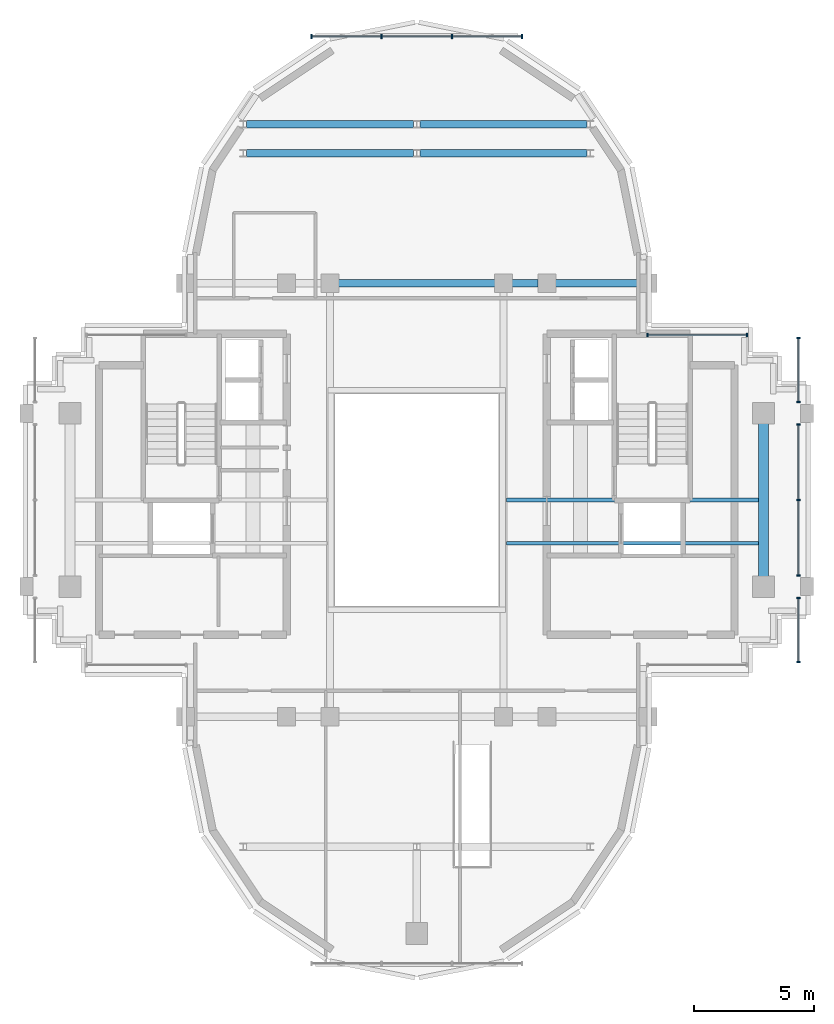
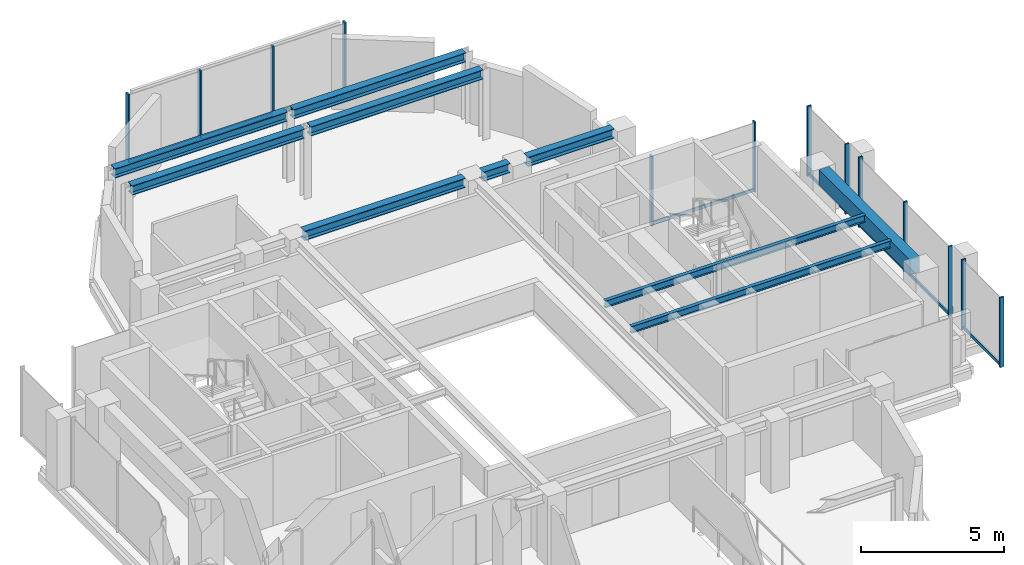
# One storey, part 5 of 11: 21 members, 10 beams, 5 elements without a shape of their own.
"""IFC4 building model written with IfcOpenShell, lengths in metres."""

from ifc_helpers import new_model, si_unit, direction, frame, origin, origin_2d, place, context, subcontext, project, spatial, rectangle, i_section, extrude, source, transform, mapped, material, material_profile, profile_set, type_object, element, aggregate, save


model = new_model("IFC4")

# Units and contexts
model_context = context("Model", 3, precision=1e-05, world=origin(), true_north=direction((0.0, 1.0)))
body_context = subcontext(model_context, "Body", "Model", "MODEL_VIEW")
ifc_project = project(units=[si_unit("LENGTHUNIT", "METRE"), si_unit("AREAUNIT", "SQUARE_METRE"), si_unit("VOLUMEUNIT", "CUBIC_METRE"), si_unit("PLANEANGLEUNIT", "RADIAN"), si_unit("MASSUNIT", "GRAM", prefix="KILO")], contexts=[model_context])

# Site, building, storey
site_placement = place(None, origin())
site = spatial("IfcSite", under=ifc_project, at=site_placement, CompositionType="ELEMENT")
building_placement = place(site_placement, origin())
building = spatial("IfcBuilding", under=site, at=building_placement, Name="Keilestroom Media Tower", CompositionType="ELEMENT")
storey_placement = place(building_placement, frame((0.0, 0.0, 255.60009765625)))
storey = spatial("IfcBuildingStorey", under=building, at=storey_placement, Name="L71", CompositionType="ELEMENT", Elevation=255.60009765625)

# Beams
ifc_material_1 = material(Name="Steel S355", Category="steel")
ifc_material_profile_1 = material_profile(ifc_material_1, i_section(OverallWidth=0.300048828125, OverallDepth=0.39990234375, WebThickness=0.011474609375, FlangeThickness=0.02392578125, at=origin_2d()), Name="HEB 400")
ifc_profile_set_1 = profile_set([ifc_material_profile_1], Name="Steel S355")
beam_type_1 = type_object("IfcBeamType", Name="Primary-Structural-Girder-HEB-400", PredefinedType="BEAM", material=ifc_profile_set_1)
shared_shape_1 = source(origin(), body_context, "Body", "SweptSolid", [
    extrude(i_section(OverallWidth=0.300048828125, OverallDepth=0.39990234375, WebThickness=0.011474609375, FlangeThickness=0.02392578125, at=origin_2d()), origin(), (0.0, 0.0, 1.0), 6.940185546875),
])
for number, where, z_axis, x_axis, name in (
    (1, (-7.070068359375, 14.39990234375, 2.809814453125), (1.0, 0.0, 0.0), (0.0, 1.0, 0.0), "L71 Beam BG-8 BM-L71-EW-013"),
    (2, (0.1298828125, 14.39990234375, 2.809814453125), (1.0, 0.0, 0.0), (0.0, 1.0, 0.0), "L71 Beam BG-8 BM-L71-EW-014"),
    (3, (-7.070068359375, 15.60009765625, 2.809814453125), (1.0, 0.0, 0.0), (0.0, 1.0, 0.0), "L71 Beam BG-8 BM-L71-EW-015"),
    (4, (0.1298828125, 15.60009765625, 2.809814453125), (1.0, 0.0, 0.0), (0.0, 1.0, 0.0), "L71 Beam BG-8 BM-L71-EW-016"),
):
    element("IfcBeam", number, at=place(storey_placement, frame(where, z_axis=z_axis, x_axis=x_axis)), inside=storey, type_object=beam_type_1, Name=name, PredefinedType="BEAM", context=body_context, shape_type="MappedRepresentation", body=[
        mapped(shared_shape_1, transform((0.0, 0.0, 0.0), x_axis=(1.0, 0.0, 0.0), y_axis=(0.0, 1.0, 0.0), z_axis=(0.0, 0.0, 1.0), scale=1.0)),
    ])
shared_shape_2 = source(origin(), body_context, "Body", "SweptSolid", [
    extrude(i_section(OverallWidth=0.300048828125, OverallDepth=0.39990234375, WebThickness=0.011474609375, FlangeThickness=0.02392578125, at=origin_2d()), origin(), (0.0, 0.0, 1.0), 3.490234375),
])
beam_1_placement = place(storey_placement, frame((5.7548828125, 9.0, 2.809814453125), z_axis=(1.0, 0.0, 0.0), x_axis=(0.0, 1.0, 0.0)))
element("IfcBeam", 5, at=beam_1_placement, inside=storey, type_object=beam_type_1, Name="L71 Beam BG-8 BM-L71-EW-012", PredefinedType="BEAM", context=body_context, shape_type="MappedRepresentation", body=[
    mapped(shared_shape_2, transform((0.0, 0.0, 0.0), x_axis=(1.0, 0.0, 0.0), y_axis=(0.0, 1.0, 0.0), z_axis=(0.0, 0.0, 1.0), scale=1.0)),
])
shared_shape_3 = source(origin(), body_context, "Body", "SweptSolid", [
    extrude(i_section(OverallWidth=0.300048828125, OverallDepth=0.39990234375, WebThickness=0.011474609375, FlangeThickness=0.02392578125, at=origin_2d()), origin(), (0.0, 0.0, 1.0), 1.08984375),
])
beam_2_placement = place(storey_placement, frame((3.955078125, 9.0, 2.809814453125), z_axis=(1.0, 0.0, 0.0), x_axis=(0.0, 1.0, 0.0)))
element("IfcBeam", 6, at=beam_2_placement, inside=storey, type_object=beam_type_1, Name="L71 Beam BG-8 BM-L71-EW-011", PredefinedType="BEAM", context=body_context, shape_type="MappedRepresentation", body=[
    mapped(shared_shape_3, transform((0.0, 0.0, 0.0), x_axis=(1.0, 0.0, 0.0), y_axis=(0.0, 1.0, 0.0), z_axis=(0.0, 0.0, 1.0), scale=1.0)),
])
shared_shape_4 = source(origin(), body_context, "Body", "SweptSolid", [
    extrude(i_section(OverallWidth=0.300048828125, OverallDepth=0.39990234375, WebThickness=0.011474609375, FlangeThickness=0.02392578125, at=origin_2d()), origin(), (0.0, 0.0, 1.0), 6.490234375),
])
beam_3_placement = place(storey_placement, frame((-3.2451171875, 9.0, 2.809814453125), z_axis=(1.0, 0.0, 0.0), x_axis=(0.0, 1.0, 0.0)))
element("IfcBeam", 7, at=beam_3_placement, inside=storey, type_object=beam_type_1, Name="L71 Beam BG-8 BM-L71-EW-010", PredefinedType="BEAM", context=body_context, shape_type="MappedRepresentation", body=[
    mapped(shared_shape_4, transform((0.0, 0.0, 0.0), x_axis=(1.0, 0.0, 0.0), y_axis=(0.0, 1.0, 0.0), z_axis=(0.0, 0.0, 1.0), scale=1.0)),
])
ifc_material_2 = material(Name="Precast concrete C40/50", Category="concrete")
ifc_material_profile_2 = material_profile(ifc_material_2, rectangle(XDim=0.39990234375, YDim=0.64990234375, at=origin_2d()), Name="PC 400x650")
ifc_profile_set_2 = profile_set([ifc_material_profile_2], Name="Precast concrete C40/50")
beam_type_2 = type_object("IfcBeamType", Name="Perimeter-Spandrel-Beam-PC-400x650", PredefinedType="SPANDREL", material=ifc_profile_set_2)
shared_shape_5 = source(origin(), body_context, "Body", "SweptSolid", [
    extrude(rectangle(XDim=0.39990234375, YDim=0.64990234375, at=origin_2d()), origin(), (0.0, 0.0, 1.0), 6.33984375),
])
beam_4_placement = place(storey_placement, frame((14.39990234375, -3.169921875, 2.65478515625), z_axis=(0.0, 1.0, 0.0), x_axis=(-1.0, 0.0, 0.0)))
element("IfcBeam", 8, at=beam_4_placement, inside=storey, type_object=beam_type_2, Name="L71 Beam SPB-2 BM-L71-NS-028", PredefinedType="SPANDREL", context=body_context, shape_type="MappedRepresentation", body=[
    mapped(shared_shape_5, transform((0.0, 0.0, 0.0), x_axis=(1.0, 0.0, 0.0), y_axis=(0.0, 1.0, 0.0), z_axis=(0.0, 0.0, 1.0), scale=1.0)),
])
ifc_material_profile_3 = material_profile(ifc_material_1, i_section(OverallWidth=0.14990234375, OverallDepth=0.300048828125, WebThickness=0.007080078125, FlangeThickness=0.0107421875, at=origin_2d()), Name="IPE 300")
ifc_profile_set_3 = profile_set([ifc_material_profile_3], Name="Steel S355")
beam_type_3 = type_object("IfcBeamType", Name="Secondary-Floor-Joist-IPE-300", PredefinedType="JOIST", material=ifc_profile_set_3)
shared_shape_6 = source(origin(), body_context, "Body", "SweptSolid", [
    extrude(i_section(OverallWidth=0.14990234375, OverallDepth=0.300048828125, WebThickness=0.007080078125, FlangeThickness=0.0107421875, at=origin_2d()), origin(), (0.0, 0.0, 1.0), 10.489990234375),
])
for number, where, z_axis, x_axis, name in (
    (9, (3.72998046875, -1.800048828125, 2.85986328125), (1.0, 0.0, 0.0), (0.0, 1.0, 0.0), "L71 Beam BJ-7 JST-L71-031"),
    (10, (3.72998046875, 0.0, 2.85986328125), (1.0, 0.0, 0.0), (0.0, 1.0, 0.0), "L71 Beam BJ-7 JST-L71-034"),
):
    element("IfcBeam", number, at=place(storey_placement, frame(where, z_axis=z_axis, x_axis=x_axis)), inside=storey, type_object=beam_type_3, Name=name, PredefinedType="JOIST", context=body_context, shape_type="MappedRepresentation", body=[
        mapped(shared_shape_6, transform((0.0, 0.0, 0.0), x_axis=(1.0, 0.0, 0.0), y_axis=(0.0, 1.0, 0.0), z_axis=(0.0, 0.0, 1.0), scale=1.0)),
    ])

# Curtain wall, members
ifc_material_3 = material(Name="Anodised Aluminium Alloy", Category="aluminium")
curtain_wall_type_1 = type_object("IfcCurtainWallType", Name="Unitised-Curtain-Wall-CW-6", PredefinedType="NOTDEFINED", material=ifc_material_3)
curtain_wall_1_placement = place(storey_placement, origin())
curtain_wall_1 = element("IfcCurtainWall", 11, at=curtain_wall_1_placement, inside=storey, type_object=curtain_wall_type_1, Name="L71 Curtain Wall CW-6 CW-L71-LN-1", PredefinedType="NOTDEFINED")
ifc_material_profile_4 = material_profile(ifc_material_3, rectangle(XDim=0.06494140625, YDim=0.179931640625, at=origin_2d()), Name="ALU MULLION 65x180")
ifc_profile_set_4 = profile_set([ifc_material_profile_4], Name="Anodised Aluminium Alloy")
member_type_1 = type_object("IfcMemberType", Name="Curtain-Wall-Mullion-CW-6", PredefinedType="MULLION", material=ifc_profile_set_4)
shared_shape_7 = source(origin(), body_context, "Body", "SweptSolid", [
    extrude(rectangle(XDim=0.06494140625, YDim=0.179931640625, at=origin_2d()), origin(), (0.0, 0.0, 1.0), 2.97998046875),
])
member_1_placement = place(storey_placement, frame((-4.367431640625, 19.25, 0.0), z_axis=(0.0, 0.0, 1.0), x_axis=(1.0, 0.0, 0.0)))
member_1 = element("IfcMember", 12, at=member_1_placement, type_object=member_type_1, Name="CW-6 Mullion 00", PredefinedType="MULLION", context=body_context, shape_type="MappedRepresentation", body=[
    mapped(shared_shape_7, transform((0.0, 0.0, 0.0), x_axis=(1.0, 0.0, 0.0), y_axis=(0.0, 1.0, 0.0), z_axis=(0.0, 0.0, 1.0), scale=1.0)),
])
member_2_placement = place(storey_placement, frame((-1.466796875, 19.25, 0.0), z_axis=(0.0, 0.0, 1.0), x_axis=(1.0, 0.0, 0.0)))
member_2 = element("IfcMember", 13, at=member_2_placement, type_object=member_type_1, Name="CW-6 Mullion 01", PredefinedType="MULLION", context=body_context, shape_type="MappedRepresentation", body=[
    mapped(shared_shape_7, transform((0.0, 0.0, 0.0), x_axis=(1.0, 0.0, 0.0), y_axis=(0.0, 1.0, 0.0), z_axis=(0.0, 0.0, 1.0), scale=1.0)),
])
member_3_placement = place(storey_placement, frame((1.466796875, 19.25, 0.0), z_axis=(0.0, 0.0, 1.0), x_axis=(1.0, 0.0, 0.0)))
member_3 = element("IfcMember", 14, at=member_3_placement, type_object=member_type_1, Name="CW-6 Mullion 02", PredefinedType="MULLION", context=body_context, shape_type="MappedRepresentation", body=[
    mapped(shared_shape_7, transform((0.0, 0.0, 0.0), x_axis=(1.0, 0.0, 0.0), y_axis=(0.0, 1.0, 0.0), z_axis=(0.0, 0.0, 1.0), scale=1.0)),
])
member_4_placement = place(storey_placement, frame((4.367431640625, 19.25, 0.0), z_axis=(0.0, 0.0, 1.0), x_axis=(1.0, 0.0, 0.0)))
member_4 = element("IfcMember", 15, at=member_4_placement, type_object=member_type_1, Name="CW-6 Mullion 03", PredefinedType="MULLION", context=body_context, shape_type="MappedRepresentation", body=[
    mapped(shared_shape_7, transform((0.0, 0.0, 0.0), x_axis=(1.0, 0.0, 0.0), y_axis=(0.0, 1.0, 0.0), z_axis=(0.0, 0.0, 1.0), scale=1.0)),
])
ifc_material_profile_5 = material_profile(ifc_material_3, rectangle(XDim=0.06494140625, YDim=0.14990234375, at=origin_2d()), Name="ALU TRANSOM 65x150")
ifc_profile_set_5 = profile_set([ifc_material_profile_5], Name="Anodised Aluminium Alloy")
member_type_2 = type_object("IfcMemberType", Name="Curtain-Wall-Transom-CW-6", PredefinedType="USERDEFINED", material=ifc_profile_set_5)
shared_shape_8 = source(origin(), body_context, "Body", "SweptSolid", [
    extrude(rectangle(XDim=0.06494140625, YDim=0.14990234375, at=origin_2d()), origin(), (0.0, 0.0, 1.0), 2.839599609375),
])
member_5_placement = place(storey_placement, frame((-4.3369140625, 19.25, 0.074951171875), z_axis=(1.0, 0.0, 0.0), x_axis=(0.0, 1.0, 0.0)))
member_5 = element("IfcMember", 16, at=member_5_placement, type_object=member_type_2, Name="CW-6 Transom 00.1", ObjectType="TRANSOM", PredefinedType="USERDEFINED", context=body_context, shape_type="MappedRepresentation", body=[
    mapped(shared_shape_8, transform((0.0, 0.0, 0.0), x_axis=(1.0, 0.0, 0.0), y_axis=(0.0, 1.0, 0.0), z_axis=(0.0, 0.0, 1.0), scale=1.0)),
])
member_6_placement = place(storey_placement, frame((1.497314453125, 19.25, 0.074951171875), z_axis=(1.0, 0.0, 0.0), x_axis=(0.0, 1.0, 0.0)))
member_6 = element("IfcMember", 17, at=member_6_placement, type_object=member_type_2, Name="CW-6 Transom 02.1", ObjectType="TRANSOM", PredefinedType="USERDEFINED", context=body_context, shape_type="MappedRepresentation", body=[
    mapped(shared_shape_8, transform((0.0, 0.0, 0.0), x_axis=(1.0, 0.0, 0.0), y_axis=(0.0, 1.0, 0.0), z_axis=(0.0, 0.0, 1.0), scale=1.0)),
])
shared_shape_9 = source(origin(), body_context, "Body", "SweptSolid", [
    extrude(rectangle(XDim=0.06494140625, YDim=0.14990234375, at=origin_2d()), origin(), (0.0, 0.0, 1.0), 2.87255859375),
])
member_7_placement = place(storey_placement, frame((-1.436279296875, 19.25, 0.074951171875), z_axis=(1.0, 0.0, 0.0), x_axis=(0.0, 1.0, 0.0)))
member_7 = element("IfcMember", 18, at=member_7_placement, type_object=member_type_2, Name="CW-6 Transom 01.1", ObjectType="TRANSOM", PredefinedType="USERDEFINED", context=body_context, shape_type="MappedRepresentation", body=[
    mapped(shared_shape_9, transform((0.0, 0.0, 0.0), x_axis=(1.0, 0.0, 0.0), y_axis=(0.0, 1.0, 0.0), z_axis=(0.0, 0.0, 1.0), scale=1.0)),
])
aggregate(curtain_wall_1, [member_1, member_2, member_3, member_4, member_5, member_7, member_6])

curtain_wall_type_2 = type_object("IfcCurtainWallType", Name="Unitised-Curtain-Wall-CW-4", PredefinedType="NOTDEFINED", material=ifc_material_3)
curtain_wall_2_placement = place(storey_placement, origin())
curtain_wall_2 = element("IfcCurtainWall", 19, at=curtain_wall_2_placement, inside=storey, type_object=curtain_wall_type_2, Name="L71 Curtain Wall CW-4 CW-L71-E-1", PredefinedType="NOTDEFINED")
ifc_material_profile_6 = material_profile(ifc_material_3, rectangle(XDim=0.06005859375, YDim=0.159912109375, at=origin_2d()), Name="ALU MULLION 60x160")
ifc_profile_set_6 = profile_set([ifc_material_profile_6], Name="Anodised Aluminium Alloy")
member_type_3 = type_object("IfcMemberType", Name="Curtain-Wall-Mullion-CW-4", PredefinedType="MULLION", material=ifc_profile_set_6)
shared_shape_10 = source(origin(), body_context, "Body", "SweptSolid", [
    extrude(rectangle(XDim=0.06005859375, YDim=0.159912109375, at=origin_2d()), origin(), (0.0, 0.0, 1.0), 2.97998046875),
])
member_8_placement = place(storey_placement, frame((15.85009765625, -6.719970703125, 0.0), z_axis=(0.0, 0.0, 1.0), x_axis=(0.0, 1.0, 0.0)))
member_8 = element("IfcMember", 20, at=member_8_placement, type_object=member_type_3, Name="CW-4 Mullion 00", PredefinedType="MULLION", context=body_context, shape_type="MappedRepresentation", body=[
    mapped(shared_shape_10, transform((0.0, 0.0, 0.0), x_axis=(1.0, 0.0, 0.0), y_axis=(0.0, 1.0, 0.0), z_axis=(0.0, 0.0, 1.0), scale=1.0)),
])
member_9_placement = place(storey_placement, frame((15.85009765625, -4.06494140625, 0.0), z_axis=(0.0, 0.0, 1.0), x_axis=(0.0, 1.0, 0.0)))
member_9 = element("IfcMember", 21, at=member_9_placement, type_object=member_type_3, Name="CW-4 Mullion 01", PredefinedType="MULLION", context=body_context, shape_type="MappedRepresentation", body=[
    mapped(shared_shape_10, transform((0.0, 0.0, 0.0), x_axis=(1.0, 0.0, 0.0), y_axis=(0.0, 1.0, 0.0), z_axis=(0.0, 0.0, 1.0), scale=1.0)),
])

curtain_wall_3_placement = place(storey_placement, origin())
curtain_wall_3 = element("IfcCurtainWall", 22, at=curtain_wall_3_placement, inside=storey, type_object=curtain_wall_type_2, Name="L71 Curtain Wall CW-4 CW-L71-E-2", PredefinedType="NOTDEFINED")
member_10_placement = place(storey_placement, frame((15.85009765625, -3.135009765625, 0.0), z_axis=(0.0, 0.0, 1.0), x_axis=(0.0, 1.0, 0.0)))
member_10 = element("IfcMember", 23, at=member_10_placement, type_object=member_type_3, Name="CW-4 Mullion 00", PredefinedType="MULLION", context=body_context, shape_type="MappedRepresentation", body=[
    mapped(shared_shape_10, transform((0.0, 0.0, 0.0), x_axis=(1.0, 0.0, 0.0), y_axis=(0.0, 1.0, 0.0), z_axis=(0.0, 0.0, 1.0), scale=1.0)),
])
member_11_placement = place(storey_placement, frame((15.85009765625, 0.0, 0.0), z_axis=(0.0, 0.0, 1.0), x_axis=(0.0, 1.0, 0.0)))
member_11 = element("IfcMember", 24, at=member_11_placement, type_object=member_type_3, Name="CW-4 Mullion 01", PredefinedType="MULLION", context=body_context, shape_type="MappedRepresentation", body=[
    mapped(shared_shape_10, transform((0.0, 0.0, 0.0), x_axis=(1.0, 0.0, 0.0), y_axis=(0.0, 1.0, 0.0), z_axis=(0.0, 0.0, 1.0), scale=1.0)),
])
member_12_placement = place(storey_placement, frame((15.85009765625, 3.135009765625, 0.0), z_axis=(0.0, 0.0, 1.0), x_axis=(0.0, 1.0, 0.0)))
member_12 = element("IfcMember", 25, at=member_12_placement, type_object=member_type_3, Name="CW-4 Mullion 02", PredefinedType="MULLION", context=body_context, shape_type="MappedRepresentation", body=[
    mapped(shared_shape_10, transform((0.0, 0.0, 0.0), x_axis=(1.0, 0.0, 0.0), y_axis=(0.0, 1.0, 0.0), z_axis=(0.0, 0.0, 1.0), scale=1.0)),
])

curtain_wall_4_placement = place(storey_placement, origin())
curtain_wall_4 = element("IfcCurtainWall", 26, at=curtain_wall_4_placement, inside=storey, type_object=curtain_wall_type_2, Name="L71 Curtain Wall CW-4 CW-L71-E-3", PredefinedType="NOTDEFINED")
member_13_placement = place(storey_placement, frame((15.85009765625, 4.06494140625, 0.0), z_axis=(0.0, 0.0, 1.0), x_axis=(0.0, 1.0, 0.0)))
member_13 = element("IfcMember", 27, at=member_13_placement, type_object=member_type_3, Name="CW-4 Mullion 00", PredefinedType="MULLION", context=body_context, shape_type="MappedRepresentation", body=[
    mapped(shared_shape_10, transform((0.0, 0.0, 0.0), x_axis=(1.0, 0.0, 0.0), y_axis=(0.0, 1.0, 0.0), z_axis=(0.0, 0.0, 1.0), scale=1.0)),
])
member_14_placement = place(storey_placement, frame((15.85009765625, 6.719970703125, 0.0), z_axis=(0.0, 0.0, 1.0), x_axis=(0.0, 1.0, 0.0)))
member_14 = element("IfcMember", 28, at=member_14_placement, type_object=member_type_3, Name="CW-4 Mullion 01", PredefinedType="MULLION", context=body_context, shape_type="MappedRepresentation", body=[
    mapped(shared_shape_10, transform((0.0, 0.0, 0.0), x_axis=(1.0, 0.0, 0.0), y_axis=(0.0, 1.0, 0.0), z_axis=(0.0, 0.0, 1.0), scale=1.0)),
])

curtain_wall_5_placement = place(storey_placement, origin())
curtain_wall_5 = element("IfcCurtainWall", 29, at=curtain_wall_5_placement, inside=storey, type_object=curtain_wall_type_2, Name="L71 Curtain Wall CW-4 CW-L71-NE-1", PredefinedType="NOTDEFINED")
member_15_placement = place(storey_placement, frame((9.580078125, 6.85009765625, 0.0), z_axis=(0.0, 0.0, 1.0), x_axis=(1.0, 0.0, 0.0)))
member_15 = element("IfcMember", 30, at=member_15_placement, type_object=member_type_3, Name="CW-4 Mullion 00", PredefinedType="MULLION", context=body_context, shape_type="MappedRepresentation", body=[
    mapped(shared_shape_10, transform((0.0, 0.0, 0.0), x_axis=(1.0, 0.0, 0.0), y_axis=(0.0, 1.0, 0.0), z_axis=(0.0, 0.0, 1.0), scale=1.0)),
])
member_16_placement = place(storey_placement, frame((13.719970703125, 6.85009765625, 0.0), z_axis=(0.0, 0.0, 1.0), x_axis=(1.0, 0.0, 0.0)))
member_16 = element("IfcMember", 31, at=member_16_placement, type_object=member_type_3, Name="CW-4 Mullion 01", PredefinedType="MULLION", context=body_context, shape_type="MappedRepresentation", body=[
    mapped(shared_shape_10, transform((0.0, 0.0, 0.0), x_axis=(1.0, 0.0, 0.0), y_axis=(0.0, 1.0, 0.0), z_axis=(0.0, 0.0, 1.0), scale=1.0)),
])

# Member
ifc_material_profile_7 = material_profile(ifc_material_3, rectangle(XDim=0.06005859375, YDim=0.1298828125, at=origin_2d()), Name="ALU TRANSOM 60x130")
ifc_profile_set_7 = profile_set([ifc_material_profile_7], Name="Anodised Aluminium Alloy")
member_type_4 = type_object("IfcMemberType", Name="Curtain-Wall-Transom-CW-4", PredefinedType="USERDEFINED", material=ifc_profile_set_7)
shared_shape_11 = source(origin(), body_context, "Body", "SweptSolid", [
    extrude(rectangle(XDim=0.06005859375, YDim=0.1298828125, at=origin_2d()), origin(), (0.0, 0.0, 1.0), 3.078857421875),
])
member_17_placement = place(storey_placement, frame((15.85009765625, -3.10693359375, 0.06494140625), z_axis=(0.0, 1.0, 0.0), x_axis=(-1.0, 0.0, 0.0)))
member_17 = element("IfcMember", 32, at=member_17_placement, type_object=member_type_4, Name="CW-4 Transom 00.1", ObjectType="TRANSOM", PredefinedType="USERDEFINED", context=body_context, shape_type="MappedRepresentation", body=[
    mapped(shared_shape_11, transform((0.0, 0.0, 0.0), x_axis=(1.0, 0.0, 0.0), y_axis=(0.0, 1.0, 0.0), z_axis=(0.0, 0.0, 1.0), scale=1.0)),
])

member_18_placement = place(storey_placement, frame((15.85009765625, 0.028076171875, 0.06494140625), z_axis=(0.0, 1.0, 0.0), x_axis=(-1.0, 0.0, 0.0)))
member_18 = element("IfcMember", 33, at=member_18_placement, type_object=member_type_4, Name="CW-4 Transom 01.1", ObjectType="TRANSOM", PredefinedType="USERDEFINED", context=body_context, shape_type="MappedRepresentation", body=[
    mapped(shared_shape_11, transform((0.0, 0.0, 0.0), x_axis=(1.0, 0.0, 0.0), y_axis=(0.0, 1.0, 0.0), z_axis=(0.0, 0.0, 1.0), scale=1.0)),
])

aggregate(curtain_wall_3, [member_10, member_11, member_12, member_17, member_18])

shared_shape_12 = source(origin(), body_context, "Body", "SweptSolid", [
    extrude(rectangle(XDim=0.06005859375, YDim=0.1298828125, at=origin_2d()), origin(), (0.0, 0.0, 1.0), 2.598876953125),
])
member_19_placement = place(storey_placement, frame((15.85009765625, -6.69189453125, 0.06494140625), z_axis=(0.0, 1.0, 0.0), x_axis=(-1.0, 0.0, 0.0)))
member_19 = element("IfcMember", 34, at=member_19_placement, type_object=member_type_4, Name="CW-4 Transom 00.1", ObjectType="TRANSOM", PredefinedType="USERDEFINED", context=body_context, shape_type="MappedRepresentation", body=[
    mapped(shared_shape_12, transform((0.0, 0.0, 0.0), x_axis=(1.0, 0.0, 0.0), y_axis=(0.0, 1.0, 0.0), z_axis=(0.0, 0.0, 1.0), scale=1.0)),
])

aggregate(curtain_wall_2, [member_8, member_9, member_19])

member_20_placement = place(storey_placement, frame((15.85009765625, 4.093017578125, 0.06494140625), z_axis=(0.0, 1.0, 0.0), x_axis=(-1.0, 0.0, 0.0)))
member_20 = element("IfcMember", 35, at=member_20_placement, type_object=member_type_4, Name="CW-4 Transom 00.1", ObjectType="TRANSOM", PredefinedType="USERDEFINED", context=body_context, shape_type="MappedRepresentation", body=[
    mapped(shared_shape_12, transform((0.0, 0.0, 0.0), x_axis=(1.0, 0.0, 0.0), y_axis=(0.0, 1.0, 0.0), z_axis=(0.0, 0.0, 1.0), scale=1.0)),
])

aggregate(curtain_wall_4, [member_13, member_14, member_20])

shared_shape_13 = source(origin(), body_context, "Body", "SweptSolid", [
    extrude(rectangle(XDim=0.06005859375, YDim=0.1298828125, at=origin_2d()), origin(), (0.0, 0.0, 1.0), 4.083984375),
])
member_21_placement = place(storey_placement, frame((9.60791015625, 6.85009765625, 0.06494140625), z_axis=(1.0, 0.0, 0.0), x_axis=(0.0, 1.0, 0.0)))
member_21 = element("IfcMember", 36, at=member_21_placement, type_object=member_type_4, Name="CW-4 Transom 00.1", ObjectType="TRANSOM", PredefinedType="USERDEFINED", context=body_context, shape_type="MappedRepresentation", body=[
    mapped(shared_shape_13, transform((0.0, 0.0, 0.0), x_axis=(1.0, 0.0, 0.0), y_axis=(0.0, 1.0, 0.0), z_axis=(0.0, 0.0, 1.0), scale=1.0)),
])

aggregate(curtain_wall_5, [member_15, member_16, member_21])

save(model, "model.ifc")
